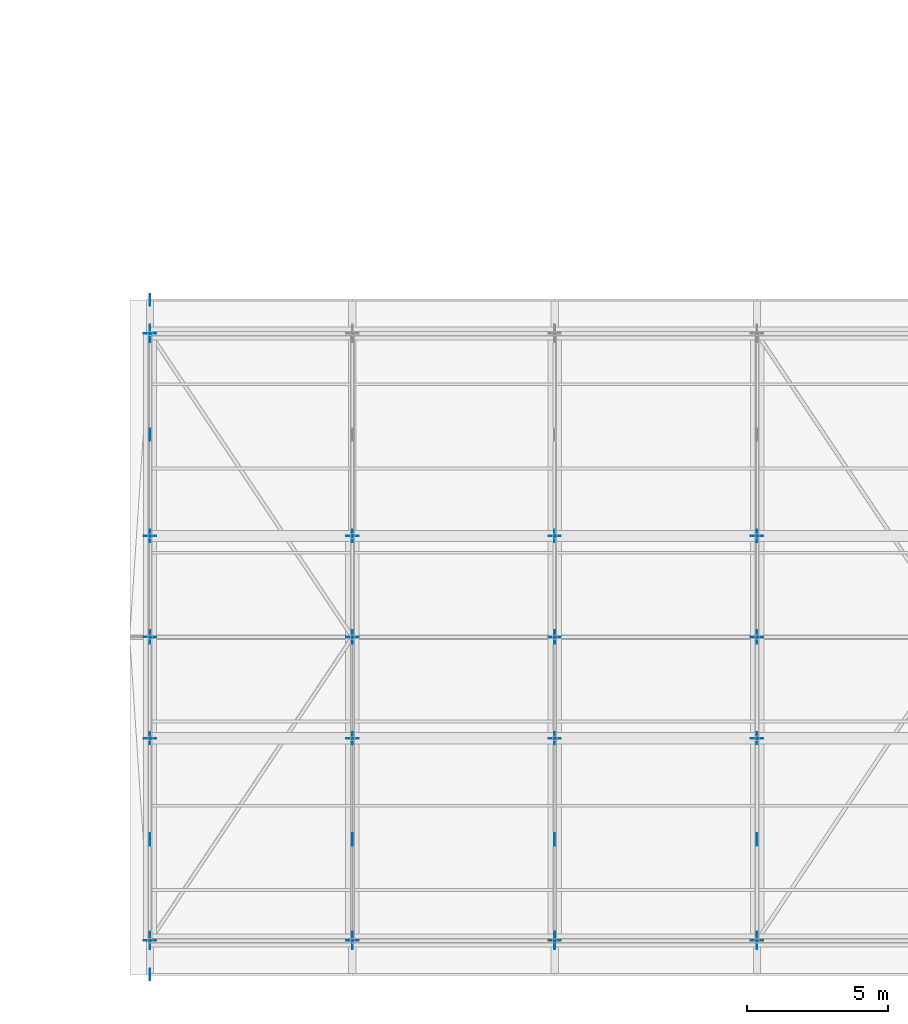
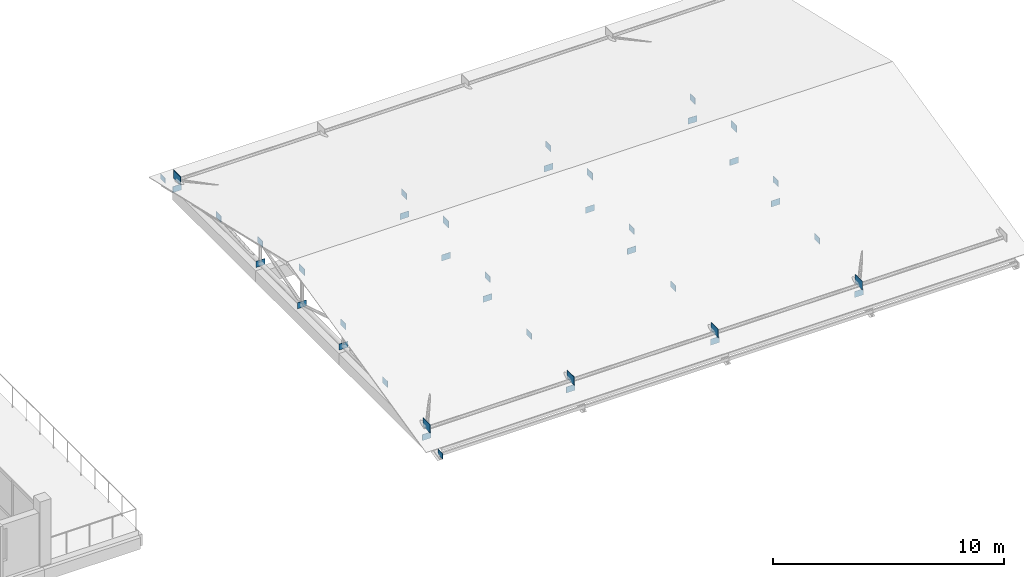
# One storey, part 65 of 84: 41 plates.
"""IFC4 building model written with IfcOpenShell, lengths in metres."""

from ifc_helpers import new_model, si_unit, direction, frame, origin, origin_2d, place, context, subcontext, project, spatial, rectangle, extrude, material, layer, layer_set, type_object, element, save


model = new_model("IFC4")

# Units and contexts
model_context = context("Model", 3, precision=1e-05, world=origin(), true_north=direction((0.0, 1.0)))
body_context = subcontext(model_context, "Body", "Model", "MODEL_VIEW")
ifc_project = project(units=[si_unit("LENGTHUNIT", "METRE"), si_unit("AREAUNIT", "SQUARE_METRE"), si_unit("VOLUMEUNIT", "CUBIC_METRE"), si_unit("PLANEANGLEUNIT", "RADIAN"), si_unit("MASSUNIT", "GRAM", prefix="KILO")], contexts=[model_context])

# Site, building, storey
site_placement = place(None, origin())
site = spatial("IfcSite", under=ifc_project, at=site_placement, CompositionType="ELEMENT")
building_placement = place(site_placement, origin())
building = spatial("IfcBuilding", under=site, at=building_placement, Name="Zornivar Specialist Clinic", CompositionType="ELEMENT")
storey_placement = place(building_placement, frame((0.0, 0.0, 12.300048828125)))
storey = spatial("IfcBuildingStorey", under=building, at=storey_placement, Name="L03", CompositionType="ELEMENT", Elevation=12.300048828125)

# Plates
ifc_material_1 = material(Name="Steel S355J2", Category="steel")
ifc_layer_1 = layer(ifc_material_1, 0.01611328125)
ifc_layer_set_1 = layer_set([ifc_layer_1], Name="Steel S355J2")
plate_type_1 = type_object("IfcPlateType", Name="PL-END-16", PredefinedType="USERDEFINED", material=ifc_layer_set_1)
for number, where, z_axis, x_axis, name in (
    (1, (57.592041015625, -1.199951171875, -0.43603515625), (0.0, 0.0, 1.0), (1.0, 0.0, 0.0), "plate:V3:L03:ecapW:00"),
    (2, (57.592041015625, 22.800048828125, -0.43603515625), (0.0, 0.0, 1.0), (1.0, 0.0, 0.0), "plate:V3:L03:ecapW:08"),
):
    element("IfcPlate", number, at=place(storey_placement, frame(where, z_axis=z_axis, x_axis=x_axis)), inside=storey, type_object=plate_type_1, Name=name, ObjectType="END PLATE", PredefinedType="USERDEFINED", context=body_context, shape_type="SweptSolid", body=[
        extrude(rectangle(XDim=0.01611328125, YDim=0.39990234375, at=origin_2d()), origin(), (0.0, 0.0, 1.0), 0.280029296875),
    ])
ifc_material_2 = material(Name="Steel S355J2", Category="steel")
ifc_layer_2 = layer(ifc_material_2, 0.02197265625)
ifc_layer_set_2 = layer_set([ifc_layer_2], Name="Steel S355J2")
plate_type_2 = type_object("IfcPlateType", Name="PL-GUSSET-HEEL-22", PredefinedType="USERDEFINED", material=ifc_layer_set_2)
for number, where, z_axis, x_axis, name in (
    (3, (57.60009765625, 0.0, 0.27001953125), (0.0, 0.0, 1.0), (1.0, 0.0, 0.0), "plate:V3:L03:heel:0:S"),
    (4, (57.60009765625, 21.60009765625, 0.27001953125), (0.0, 0.0, 1.0), (1.0, 0.0, 0.0), "plate:V3:L03:heel:0:N"),
    (5, (64.800048828125, 0.0, 0.27001953125), (0.0, 0.0, 1.0), (1.0, 0.0, 0.0), "plate:V3:L03:heel:1:S"),
    (6, (72.0, 0.0, 0.27001953125), (0.0, 0.0, 1.0), (1.0, 0.0, 0.0), "plate:V3:L03:heel:2:S"),
    (7, (79.199951171875, 0.0, 0.27001953125), (0.0, 0.0, 1.0), (1.0, 0.0, 0.0), "plate:V3:L03:heel:3:S"),
):
    element("IfcPlate", number, at=place(storey_placement, frame(where, z_axis=z_axis, x_axis=x_axis)), inside=storey, type_object=plate_type_2, Name=name, ObjectType="GUSSET PLATE", PredefinedType="USERDEFINED", context=body_context, shape_type="SweptSolid", body=[
        extrude(rectangle(XDim=0.02197265625, YDim=0.6201171875, at=origin_2d()), origin(), (0.0, 0.0, 1.0), 0.43994140625),
    ])
ifc_material_3 = material(Name="Steel S355J2", Category="steel")
ifc_layer_3 = layer(ifc_material_3, 0.02001953125)
ifc_layer_set_3 = layer_set([ifc_layer_3], Name="Steel S355J2")
plate_type_3 = type_object("IfcPlateType", Name="PL-GUSSET-NODE-20", PredefinedType="USERDEFINED", material=ifc_layer_set_3)
for number, where, z_axis, x_axis, name in (
    (8, (57.60009765625, 10.800048828125, 1.98974609375), (0.0, 0.0, 1.0), (1.0, 0.0, 0.0), "plate:V3:L03:ridge:0"),
    (9, (64.800048828125, 10.800048828125, 1.98974609375), (0.0, 0.0, 1.0), (1.0, 0.0, 0.0), "plate:V3:L03:ridge:1"),
    (10, (72.0, 10.800048828125, 1.98974609375), (0.0, 0.0, 1.0), (1.0, 0.0, 0.0), "plate:V3:L03:ridge:2"),
    (11, (79.199951171875, 10.800048828125, 1.98974609375), (0.0, 0.0, 1.0), (1.0, 0.0, 0.0), "plate:V3:L03:ridge:3"),
):
    element("IfcPlate", number, at=place(storey_placement, frame(where, z_axis=z_axis, x_axis=x_axis)), inside=storey, type_object=plate_type_3, Name=name, ObjectType="GUSSET PLATE", PredefinedType="USERDEFINED", context=body_context, shape_type="SweptSolid", body=[
        extrude(rectangle(XDim=0.02001953125, YDim=0.47998046875, at=origin_2d()), origin(), (0.0, 0.0, 1.0), 0.360107421875),
    ])
ifc_material_4 = material(Name="Steel S355J2", Category="steel")
ifc_layer_4 = layer(ifc_material_4, 0.01806640625)
ifc_layer_set_4 = layer_set([ifc_layer_4], Name="Steel S355J2")
plate_type_4 = type_object("IfcPlateType", Name="PL-GUSSET-V4-18", PredefinedType="USERDEFINED", material=ifc_layer_set_4)
for number, where, z_axis, x_axis, name in (
    (12, (57.60009765625, 0.0, -0.240234375), (0.0, 0.0, 1.0), (1.0, 0.0, 0.0), "plate:bnode:L03:154"),
    (13, (57.60009765625, 21.60009765625, -0.240234375), (0.0, 0.0, 1.0), (1.0, 0.0, 0.0), "plate:bnode:L03:155"),
    (14, (57.60009765625, 10.800048828125, 0.1796875), (0.0, 0.0, 1.0), (1.0, 0.0, 0.0), "plate:bnode:L03:156"),
    (15, (57.60009765625, 7.199951171875, 1.2900390625), (0.0, 0.0, 1.0), (0.0, 1.0, 0.0), "plate:bnode:L03:157"),
    (16, (57.60009765625, 7.199951171875, 0.1796875), (0.0, 0.0, 1.0), (1.0, 0.0, 0.0), "plate:bnode:L03:158"),
    (17, (57.60009765625, 3.60009765625, 0.44970703125), (0.0, 0.0, 1.0), (0.0, 1.0, 0.0), "plate:bnode:L03:159"),
    (18, (57.60009765625, 14.39990234375, 1.2900390625), (0.0, 0.0, 1.0), (0.0, 1.0, 0.0), "plate:bnode:L03:160"),
    (19, (57.60009765625, 14.39990234375, 0.1796875), (0.0, 0.0, 1.0), (1.0, 0.0, 0.0), "plate:bnode:L03:161"),
    (20, (57.60009765625, 18.0, 0.44970703125), (0.0, 0.0, 1.0), (0.0, 1.0, 0.0), "plate:bnode:L03:162"),
    (21, (64.800048828125, 0.0, -0.240234375), (0.0, 0.0, 1.0), (1.0, 0.0, 0.0), "plate:bnode:L03:163"),
    (22, (64.800048828125, 10.800048828125, 0.1796875), (0.0, 0.0, 1.0), (1.0, 0.0, 0.0), "plate:bnode:L03:165"),
    (23, (64.800048828125, 7.199951171875, 1.2900390625), (0.0, 0.0, 1.0), (0.0, 1.0, 0.0), "plate:bnode:L03:166"),
    (24, (64.800048828125, 7.199951171875, 0.1796875), (0.0, 0.0, 1.0), (1.0, 0.0, 0.0), "plate:bnode:L03:167"),
    (25, (64.800048828125, 3.60009765625, 0.44970703125), (0.0, 0.0, 1.0), (0.0, 1.0, 0.0), "plate:bnode:L03:168"),
    (26, (64.800048828125, 14.39990234375, 1.2900390625), (0.0, 0.0, 1.0), (0.0, 1.0, 0.0), "plate:bnode:L03:169"),
    (27, (64.800048828125, 14.39990234375, 0.1796875), (0.0, 0.0, 1.0), (1.0, 0.0, 0.0), "plate:bnode:L03:170"),
    (28, (72.0, 0.0, -0.240234375), (0.0, 0.0, 1.0), (1.0, 0.0, 0.0), "plate:bnode:L03:172"),
    (29, (72.0, 10.800048828125, 0.1796875), (0.0, 0.0, 1.0), (1.0, 0.0, 0.0), "plate:bnode:L03:174"),
    (30, (72.0, 7.199951171875, 1.2900390625), (0.0, 0.0, 1.0), (0.0, 1.0, 0.0), "plate:bnode:L03:175"),
    (31, (72.0, 7.199951171875, 0.1796875), (0.0, 0.0, 1.0), (1.0, 0.0, 0.0), "plate:bnode:L03:176"),
    (32, (72.0, 3.60009765625, 0.44970703125), (0.0, 0.0, 1.0), (0.0, 1.0, 0.0), "plate:bnode:L03:177"),
    (33, (72.0, 14.39990234375, 1.2900390625), (0.0, 0.0, 1.0), (0.0, 1.0, 0.0), "plate:bnode:L03:178"),
    (34, (72.0, 14.39990234375, 0.1796875), (0.0, 0.0, 1.0), (1.0, 0.0, 0.0), "plate:bnode:L03:179"),
    (35, (79.199951171875, 0.0, -0.240234375), (0.0, 0.0, 1.0), (1.0, 0.0, 0.0), "plate:bnode:L03:181"),
    (36, (79.199951171875, 10.800048828125, 0.1796875), (0.0, 0.0, 1.0), (1.0, 0.0, 0.0), "plate:bnode:L03:183"),
    (37, (79.199951171875, 7.199951171875, 1.2900390625), (0.0, 0.0, 1.0), (0.0, 1.0, 0.0), "plate:bnode:L03:184"),
    (38, (79.199951171875, 7.199951171875, 0.1796875), (0.0, 0.0, 1.0), (1.0, 0.0, 0.0), "plate:bnode:L03:185"),
    (39, (79.199951171875, 3.60009765625, 0.44970703125), (0.0, 0.0, 1.0), (0.0, 1.0, 0.0), "plate:bnode:L03:186"),
    (40, (79.199951171875, 14.39990234375, 1.2900390625), (0.0, 0.0, 1.0), (0.0, 1.0, 0.0), "plate:bnode:L03:187"),
    (41, (79.199951171875, 14.39990234375, 0.1796875), (0.0, 0.0, 1.0), (1.0, 0.0, 0.0), "plate:bnode:L03:188"),
):
    element("IfcPlate", number, at=place(storey_placement, frame(where, z_axis=z_axis, x_axis=x_axis)), inside=storey, type_object=plate_type_4, Name=name, ObjectType="GUSSET PLATE", PredefinedType="USERDEFINED", context=body_context, shape_type="SweptSolid", body=[
        extrude(rectangle(XDim=0.43994140625, YDim=0.01806640625, at=origin_2d()), origin(), (0.0, 0.0, 1.0), 0.320068359375),
    ])

save(model, "model.ifc")
